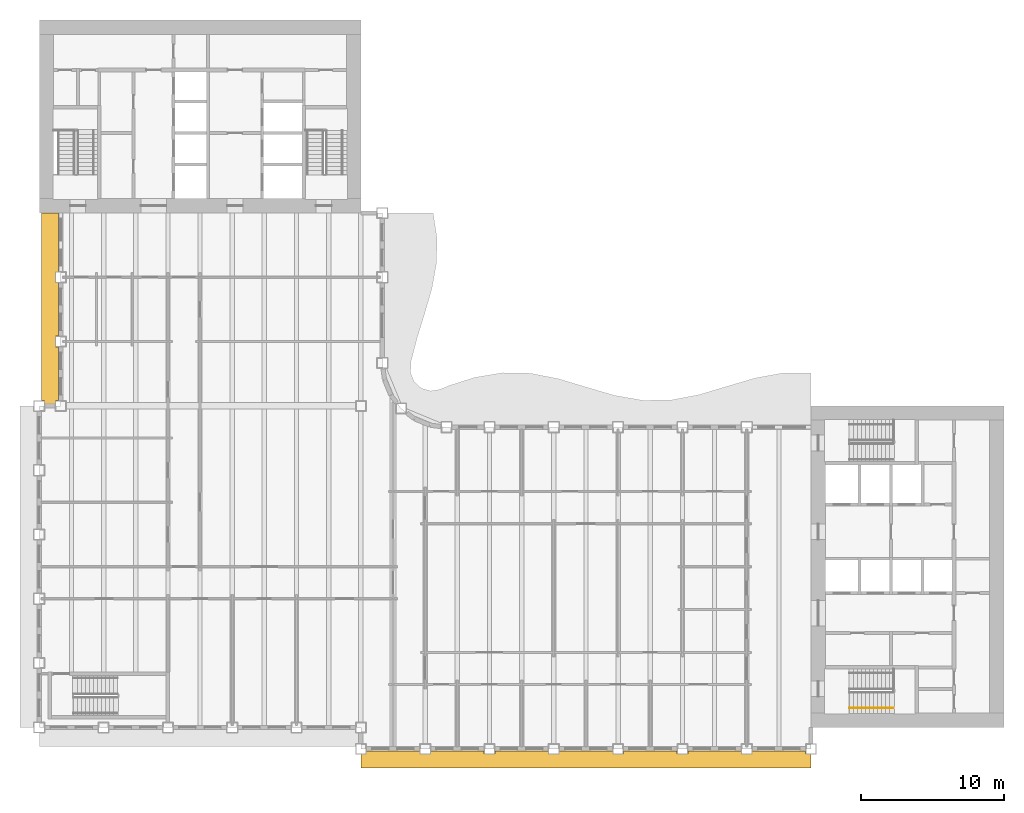
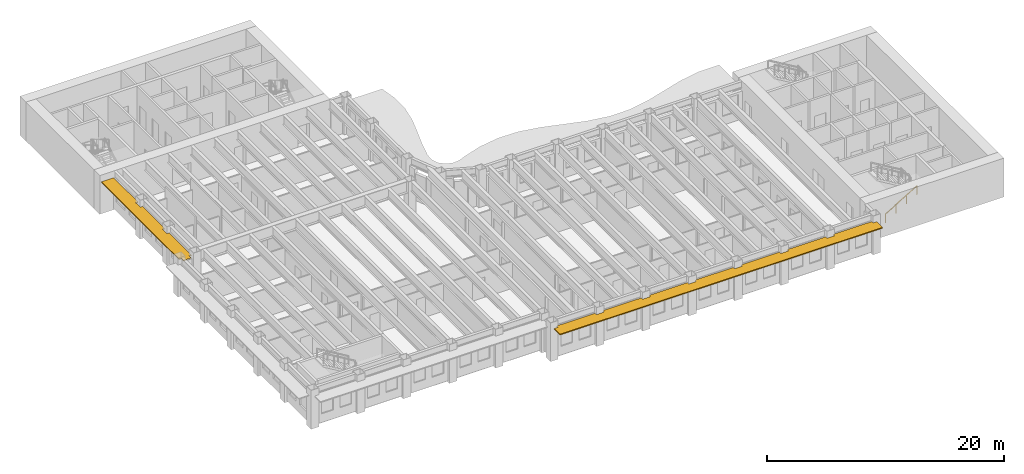
# One storey, part 13 of 17: 2 shading devices, 1 railing.
"""IFC4 building model written with IfcOpenShell, lengths in metres."""

from ifc_helpers import new_model, si_unit, direction, frame, origin, origin_2d, place, context, subcontext, project, spatial, polyline, rectangle, outline, extrude, material, layer, layer_set, type_object, element, save


model = new_model("IFC4")

# Units and contexts
model_context = context("Model", 3, precision=1e-05, world=origin(), true_north=direction((0.0, 1.0)))
body_context = subcontext(model_context, "Body", "Model", "MODEL_VIEW")
ifc_project = project(units=[si_unit("LENGTHUNIT", "METRE"), si_unit("AREAUNIT", "SQUARE_METRE"), si_unit("VOLUMEUNIT", "CUBIC_METRE"), si_unit("PLANEANGLEUNIT", "RADIAN"), si_unit("MASSUNIT", "GRAM", prefix="KILO")], contexts=[model_context])

# Site, building, storey
site_placement = place(None, origin())
site = spatial("IfcSite", under=ifc_project, at=site_placement, CompositionType="ELEMENT")
building_placement = place(site_placement, origin())
building = spatial("IfcBuilding", under=site, at=building_placement, Name="Sennacour Bend Tower", CompositionType="ELEMENT")
storey_placement = place(building_placement, frame((0.0, 0.0, 203.0)))
storey = spatial("IfcBuildingStorey", under=building, at=storey_placement, Name="L46", CompositionType="ELEMENT", Elevation=203.0)

# Railing
ifc_material_1 = material(Name="Stainless steel", Category="steel")
railing_type = type_object("IfcRailingType", Name="RL-HANDRAIL-900", PredefinedType="HANDRAIL", material=ifc_material_1)
railing_placement = place(storey_placement, frame((56.699951171875, 1.35009765625, 0.166748046875)))
element("IfcRailing", 1, at=railing_placement, inside=storey, type_object=railing_type, Name="L46 SA1 stair handrail 1", PredefinedType="HANDRAIL", context=body_context, shape_type="SweptSolid", body=[
    extrude(rectangle(XDim=0.048095703125, YDim=0.048095703125, at=origin_2d()), frame((0.0, 0.0, 0.8759765625), z_axis=(0.859308565015, 0.0, 0.511457515432), x_axis=(0.0, 1.0, 0.0)), (0.0, 0.0, 1.0), 3.58447265625),
    extrude(rectangle(XDim=0.0419921875, YDim=0.0419921875, at=origin_2d()), origin(), (0.0, 0.0, 1.0), 0.851806640625),
    extrude(rectangle(XDim=0.0419921875, YDim=0.0419921875, at=origin_2d()), frame((1.026611328125, 0.0, 0.611083984375)), (0.0, 0.0, 1.0), 0.851806640625),
    extrude(rectangle(XDim=0.0419921875, YDim=0.0419921875, at=origin_2d()), frame((2.053466796875, 0.0, 1.22216796875)), (0.0, 0.0, 1.0), 0.851806640625),
    extrude(rectangle(XDim=0.0419921875, YDim=0.0419921875, at=origin_2d()), frame((3.080078125, 0.0, 1.833251953125)), (0.0, 0.0, 1.0), 0.851806640625),
])

# Shading devices
ifc_material_2 = material(Name="Bronze anodised aluminium", Category="aluminium")
ifc_layer = layer(ifc_material_2, 0.10009765625, Name="Bronze anodised aluminium", Category="aluminium")
ifc_layer_set = layer_set([ifc_layer], Name="Bronze anodised aluminium")
shading_device_type = type_object("IfcShadingDeviceType", Name="SUNSHADE BAND STRAIGHT", PredefinedType="USERDEFINED", material=ifc_layer_set)
shading_device_1_placement = place(storey_placement, frame((0.0, 0.0, 3.056884765625)))
element("IfcShadingDevice", 2, at=shading_device_1_placement, inside=storey, type_object=shading_device_type, Name="Sunshade band L46 A outer face", ObjectType="SUNSHADE", PredefinedType="USERDEFINED", context=body_context, shape_type="SweptSolid", body=[
    extrude(outline(polyline([(26.625, -1.64990234375), (26.625, -1.875), (27.375, -1.875), (27.375, -1.64990234375), (31.125, -1.64990234375), (31.125, -1.875), (31.875, -1.875), (31.875, -1.64990234375), (35.625, -1.64990234375), (35.625, -1.875), (36.375, -1.875), (36.375, -1.64990234375), (40.125, -1.64990234375), (40.125, -1.875), (40.875, -1.875), (40.875, -1.64990234375), (44.625, -1.64990234375), (44.625, -1.875), (45.375, -1.875), (45.375, -1.64990234375), (49.125, -1.64990234375), (49.125, -1.875), (49.875, -1.875), (49.875, -1.64990234375), (53.625, -1.64990234375), (53.625, -1.875), (54.0, -1.875), (54.0, -2.85009765625), (22.5, -2.85009765625), (22.5, -1.875), (22.875, -1.875), (22.875, -1.64990234375), (26.625, -1.64990234375)])), origin(), (0.0, 0.0, 1.0), 0.10009765625),
])
shading_device_2_placement = place(storey_placement, frame((0.0, 0.0, 3.056884765625)))
element("IfcShadingDevice", 3, at=shading_device_2_placement, inside=storey, type_object=shading_device_type, Name="Sunshade band L46 B outer face", ObjectType="SUNSHADE", PredefinedType="USERDEFINED", context=body_context, shape_type="SweptSolid", body=[
    extrude(outline(polyline([(1.35009765625, 31.875), (1.125, 31.875), (1.125, 31.125), (1.35009765625, 31.125), (1.35009765625, 27.375), (1.125, 27.375), (1.125, 26.625), (1.35009765625, 26.625), (1.35009765625, 22.875), (1.125, 22.875), (1.125, 22.5), (0.375, 22.5), (0.375, 22.875), (0.14990234375, 22.875), (0.14990234375, 36.0), (1.35009765625, 36.0), (1.35009765625, 31.875)])), origin(), (0.0, 0.0, 1.0), 0.10009765625),
])

save(model, "model.ifc")
